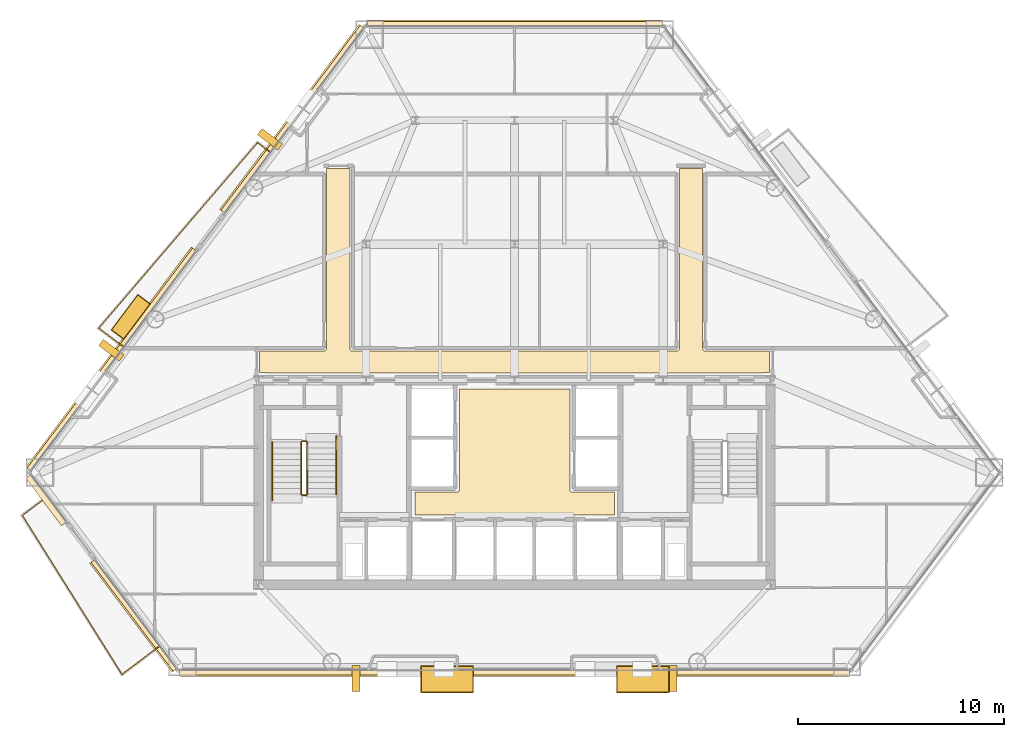
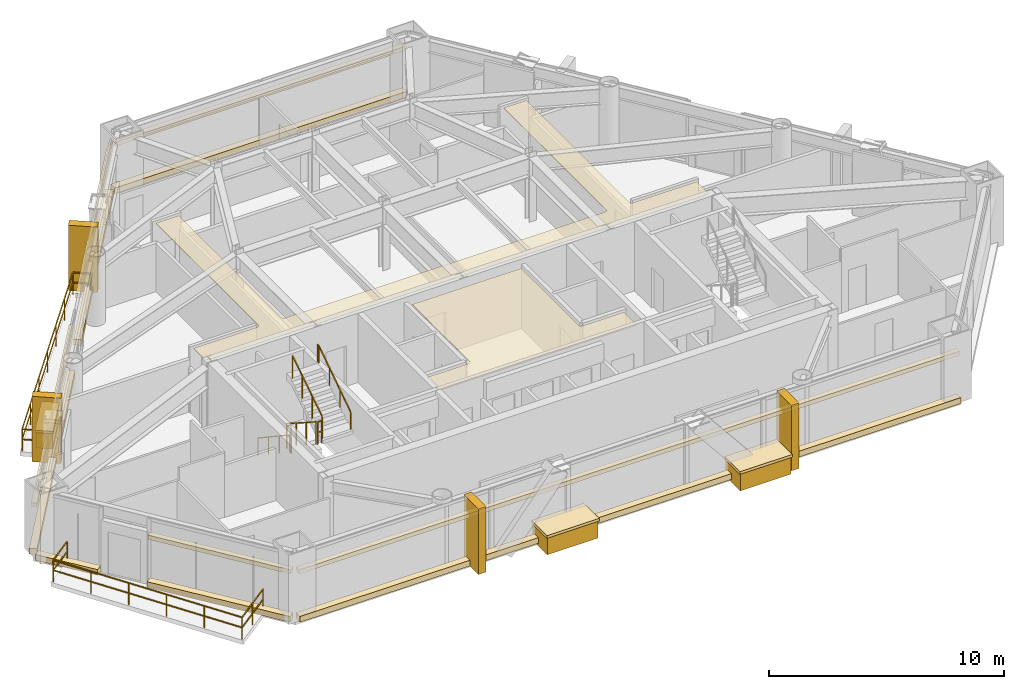
# One storey, part 10 of 11: 23 coverings, 8 railings.
"""IFC4 building model written with IfcOpenShell, lengths in metres."""

from ifc_helpers import new_model, si_unit, direction, frame, origin, origin_2d, place, context, subcontext, project, spatial, polyline, rectangle, outline, extrude, material, layer, layer_set, type_object, element, save


model = new_model("IFC4")

# Units and contexts
model_context = context("Model", 3, precision=1e-05, world=origin(), true_north=direction((0.0, 1.0)))
body_context = subcontext(model_context, "Body", "Model", "MODEL_VIEW")
ifc_project = project(units=[si_unit("LENGTHUNIT", "METRE"), si_unit("AREAUNIT", "SQUARE_METRE"), si_unit("VOLUMEUNIT", "CUBIC_METRE"), si_unit("PLANEANGLEUNIT", "RADIAN"), si_unit("MASSUNIT", "GRAM", prefix="KILO")], contexts=[model_context])

# Site, building, storey
site_placement = place(None, origin())
site = spatial("IfcSite", under=ifc_project, at=site_placement, CompositionType="ELEMENT")
building_placement = place(site_placement, origin())
building = spatial("IfcBuilding", under=site, at=building_placement, Name="Talgorran Terracotta Tower", CompositionType="ELEMENT")
storey_placement = place(building_placement, frame((0.0, 0.0, 68.39990234375)))
storey = spatial("IfcBuildingStorey", under=building, at=storey_placement, Name="L17", CompositionType="ELEMENT", Elevation=68.39990234375)

# Coverings
ifc_material_1 = material(Name="Kiln-Fired Terracotta Ochre Ceramic", Category="masonry")
ifc_layer_1 = layer(ifc_material_1, 0.179931640625, Name="COV_BAGUETTE_TERRACOTTA_SCREEN")
ifc_layer_set_1 = layer_set([ifc_layer_1], Name="Kiln-Fired Terracotta Ochre Ceramic")
covering_type_1 = type_object("IfcCoveringType", Name="COV_BAGUETTE_TERRACOTTA_SCREEN", PredefinedType="CLADDING", material=ifc_layer_set_1)
covering_1_placement = place(storey_placement, frame((-18.432373046875, -15.581787109375, 2.41015625), z_axis=(0.0, 0.0, 1.0), x_axis=(0.601257323772, -0.799055461536, 0.0)))
element("IfcCovering", 1, at=covering_1_placement, inside=storey, type_object=covering_type_1, Name="L17 Terracotta Baguette Solar Screen Assembly F11", PredefinedType="CLADDING", context=body_context, shape_type="SweptSolid", body=[
    extrude(rectangle(XDim=6.600341796875, YDim=0.260009765625, at=origin_2d()), origin(), (0.0, 0.0, 1.0), 0.219970703125),
])
covering_2_placement = place(storey_placement, frame((0.0, -18.3466796875, 2.41015625), z_axis=(0.0, 0.0, 1.0), x_axis=(1.0, 0.0, 0.0)))
element("IfcCovering", 2, at=covering_2_placement, inside=storey, type_object=covering_type_1, Name="L17 Terracotta Baguette Solar Screen Assembly F1", PredefinedType="CLADDING", context=body_context, shape_type="SweptSolid", body=[
    extrude(rectangle(XDim=32.464111328125, YDim=0.260009765625, at=origin_2d()), origin(), (0.0, 0.0, 1.0), 0.219970703125),
])
covering_3_placement = place(storey_placement, frame((0.0, 13.052734375, 2.41015625), z_axis=(0.0, 0.0, 1.0), x_axis=(-1.0, 0.0, 0.0)))
element("IfcCovering", 3, at=covering_3_placement, inside=storey, type_object=covering_type_1, Name="L17 Terracotta Baguette Solar Screen Assembly F4", PredefinedType="CLADDING", context=body_context, shape_type="SweptSolid", body=[
    extrude(rectangle(XDim=14.328125, YDim=0.260009765625, at=origin_2d()), origin(), (0.0, 0.0, 1.0), 0.219970703125),
])
covering_4_placement = place(storey_placement, frame((-10.75, 8.4462890625, 2.41015625), z_axis=(0.0, 0.0, 1.0), x_axis=(-0.601243377531, -0.799065955334, 0.0)))
element("IfcCovering", 4, at=covering_4_placement, inside=storey, type_object=covering_type_1, Name="L17 Terracotta Baguette Solar Screen Assembly F60", PredefinedType="CLADDING", context=body_context, shape_type="SweptSolid", body=[
    extrude(rectangle(XDim=11.2099609375, YDim=0.260009765625, at=origin_2d()), origin(), (0.0, 0.0, 1.0), 0.219970703125),
])
covering_5_placement = place(storey_placement, frame((-19.51123046875, -3.197509765625, 2.41015625), z_axis=(0.0, 0.0, 1.0), x_axis=(-0.601243377531, -0.799065955334, 0.0)))
element("IfcCovering", 5, at=covering_5_placement, inside=storey, type_object=covering_type_1, Name="L17 Terracotta Baguette Solar Screen Assembly F61", PredefinedType="CLADDING", context=body_context, shape_type="SweptSolid", body=[
    extrude(rectangle(XDim=13.33349609375, YDim=0.260009765625, at=origin_2d()), origin(), (0.0, 0.0, 1.0), 0.219970703125),
])
ifc_material_2 = material(Name="Mineral Fibre Acoustic Tile")
ifc_layer_2 = layer(ifc_material_2, 0.02490234375, Name="COV_CEIL_ACOUSTIC")
ifc_layer_set_2 = layer_set([ifc_layer_2], Name="Mineral Fibre Acoustic Tile")
covering_type_2 = type_object("IfcCoveringType", Name="COV_CEIL_ACOUSTIC", PredefinedType="CEILING", material=ifc_layer_set_2)
covering_6_placement = place(storey_placement, frame((0.0, 0.0, 3.260009765625)))
element("IfcCovering", 6, at=covering_6_placement, inside=storey, type_object=covering_type_2, Name="CEIL-L17-2", PredefinedType="CEILING", context=body_context, shape_type="SweptSolid", body=[
    extrude(outline(polyline([(-12.364990234375, -2.784912109375), (-9.25, -2.784912109375), (-9.23828125, -2.784423828125), (-9.226806640625, -2.78271484375), (-9.21533203125, -2.77978515625), (-9.20703125, -2.77734375), (-9.196044921875, -2.7734375), (-9.185302734375, -2.768310546875), (-9.17529296875, -2.762451171875), (-9.165771484375, -2.75537109375), (-9.156982421875, -2.74755859375), (-9.149169921875, -2.73876953125), (-9.1435546875, -2.73193359375), (-9.136474609375, -2.722412109375), (-9.13037109375, -2.71240234375), (-9.125244140625, -2.70166015625), (-9.121337890625, -2.690673828125), (-9.118408203125, -2.67919921875), (-9.11669921875, -2.66748046875), (-9.1162109375, -2.65576171875), (-9.114990234375, 6.06494140625), (-7.985107421875, 6.06494140625), (-7.985107421875, -2.64990234375), (-7.984375, -2.66162109375), (-7.982666015625, -2.67333984375), (-7.97998046875, -2.6845703125), (-7.977294921875, -2.69287109375), (-7.973388671875, -2.7041015625), (-7.968505859375, -2.714599609375), (-7.96240234375, -2.724853515625), (-7.955322265625, -2.734375), (-7.947509765625, -2.742919921875), (-7.938720703125, -2.7509765625), (-7.931884765625, -2.756591796875), (-7.922607421875, -2.763671875), (-7.912353515625, -2.769775390625), (-7.901611328125, -2.774658203125), (-7.890625, -2.77880859375), (-7.879150390625, -2.781494140625), (-7.867431640625, -2.783203125), (-7.855712890625, -2.783935546875), (7.85009765625, -2.784912109375), (7.86181640625, -2.784423828125), (7.873291015625, -2.78271484375), (7.884521484375, -2.77978515625), (7.892822265625, -2.77734375), (7.904052734375, -2.7734375), (7.914794921875, -2.768310546875), (7.9248046875, -2.762451171875), (7.934326171875, -2.75537109375), (7.943115234375, -2.74755859375), (7.950927734375, -2.73876953125), (7.95654296875, -2.73193359375), (7.963623046875, -2.722412109375), (7.9697265625, -2.71240234375), (7.974609375, -2.70166015625), (7.978759765625, -2.690673828125), (7.981689453125, -2.67919921875), (7.9833984375, -2.66748046875), (7.98388671875, -2.65576171875), (7.985107421875, 6.06494140625), (9.114990234375, 6.06494140625), (9.114990234375, -2.64990234375), (9.115478515625, -2.66162109375), (9.1171875, -2.67333984375), (9.1201171875, -2.6845703125), (9.12255859375, -2.69287109375), (9.12646484375, -2.7041015625), (9.131591796875, -2.714599609375), (9.1376953125, -2.724853515625), (9.14453125, -2.734375), (9.152587890625, -2.742919921875), (9.1611328125, -2.7509765625), (9.16796875, -2.756591796875), (9.177490234375, -2.763671875), (9.1875, -2.769775390625), (9.1982421875, -2.774658203125), (9.20947265625, -2.77880859375), (9.220703125, -2.781494140625), (9.232421875, -2.783203125), (9.244384765625, -2.783935546875), (12.364990234375, -2.784912109375), (12.364990234375, -3.80908203125), (12.1201171875, -3.80908203125), (12.108154296875, -3.8095703125), (12.0966796875, -3.811279296875), (12.085205078125, -3.814208984375), (12.07421875, -3.818115234375), (12.0634765625, -3.8232421875), (12.05322265625, -3.8291015625), (12.0439453125, -3.836181640625), (12.03515625, -3.843994140625), (12.034423828125, -3.844970703125), (7.432861328125, -3.844970703125), (6.968017578125, -3.843017578125), (6.967529296875, -3.843017578125), (0.232666015625, -3.844970703125), (-0.23193359375, -3.843017578125), (-0.232421875, -3.843017578125), (-6.96728515625, -3.844970703125), (-7.431884765625, -3.843017578125), (-7.4326171875, -3.843017578125), (-12.034423828125, -3.844970703125), (-12.03515625, -3.843994140625), (-12.0439453125, -3.836181640625), (-12.05322265625, -3.8291015625), (-12.0634765625, -3.8232421875), (-12.07421875, -3.818115234375), (-12.085205078125, -3.814208984375), (-12.0966796875, -3.811279296875), (-12.108154296875, -3.8095703125), (-12.1201171875, -3.80908203125), (-12.364990234375, -3.80908203125), (-12.364990234375, -2.784912109375)])), origin(), (0.0, 0.0, 1.0), 0.02001953125),
])
ifc_material_3 = material(Name="Flush Moisture-Resistant Plaster")
ifc_layer_3 = layer(ifc_material_3, 0.01806640625, Name="COV_CEIL_PLASTER")
ifc_layer_set_3 = layer_set([ifc_layer_3], Name="Flush Moisture-Resistant Plaster")
covering_type_3 = type_object("IfcCoveringType", Name="COV_CEIL_PLASTER", PredefinedType="CEILING", material=ifc_layer_set_3)
covering_7_placement = place(storey_placement, frame((0.0, 0.0, 3.260009765625)))
element("IfcCovering", 7, at=covering_7_placement, inside=storey, type_object=covering_type_3, Name="CEIL-L17-1", PredefinedType="CEILING", context=body_context, shape_type="SweptSolid", body=[
    extrude(outline(polyline([(-4.830078125, -9.6201171875), (-2.800048828125, -9.6201171875), (-2.7880859375, -9.619384765625), (-2.776611328125, -9.61767578125), (-2.76513671875, -9.61474609375), (-2.754150390625, -9.61083984375), (-2.743408203125, -9.605712890625), (-2.7333984375, -9.599853515625), (-2.723876953125, -9.5927734375), (-2.715087890625, -9.5849609375), (-2.707275390625, -9.576171875), (-2.7001953125, -9.566650390625), (-2.694091796875, -9.556640625), (-2.689208984375, -9.5458984375), (-2.685302734375, -9.534912109375), (-2.682373046875, -9.5234375), (-2.6806640625, -9.51171875), (-2.679931640625, -9.5), (-2.679931640625, -4.6201171875), (2.679931640625, -4.6201171875), (2.679931640625, -9.5), (2.6806640625, -9.51171875), (2.682373046875, -9.5234375), (2.685302734375, -9.534912109375), (2.689208984375, -9.5458984375), (2.694091796875, -9.556640625), (2.7001953125, -9.566650390625), (2.707275390625, -9.576171875), (2.715087890625, -9.5849609375), (2.723876953125, -9.5927734375), (2.7333984375, -9.599853515625), (2.743408203125, -9.605712890625), (2.754150390625, -9.61083984375), (2.76513671875, -9.61474609375), (2.776611328125, -9.61767578125), (2.7880859375, -9.619384765625), (2.800048828125, -9.6201171875), (4.830078125, -9.6201171875), (4.830078125, -10.72998046875), (-4.830078125, -10.72998046875), (-4.830078125, -9.6201171875)])), origin(), (0.0, 0.0, 1.0), 0.02001953125),
])
ifc_material_4 = material(Name="Honed Limestone and Terracotta Planter", Category="masonry")
ifc_layer_4 = layer(ifc_material_4, 0.1201171875, Name="COV_PLANTER_BOX")
ifc_layer_set_4 = layer_set([ifc_layer_4], Name="Honed Limestone and Terracotta Planter")
covering_type_4 = type_object("IfcCoveringType", Name="COV_PLANTER_BOX", PredefinedType="CLADDING", material=ifc_layer_set_4)
for number, where, z_axis, x_axis, name in (
    (8, (6.217529296875, -18.686767578125, -0.179931640625), (0.0, 0.0, 1.0), (1.0, 0.0, 0.0), "L17 Staggered South Facade Planter Box 1"),
    (9, (-3.2724609375, -18.686767578125, -0.179931640625), (0.0, 0.0, 1.0), (1.0, 0.0, 0.0), "L17 Staggered South Facade Planter Box 2"),
):
    element("IfcCovering", number, at=place(storey_placement, frame(where, z_axis=z_axis, x_axis=x_axis)), inside=storey, type_object=covering_type_4, Name=name, PredefinedType="CLADDING", context=body_context, shape_type="SweptSolid", body=[
        extrude(rectangle(XDim=2.5, YDim=1.25, at=origin_2d()), origin(), (0.0, 0.0, 1.0), 0.919921875),
    ])
covering_8_placement = place(storey_placement, frame((-18.6015625, -1.12548828125, -0.02001953125), z_axis=(0.0, 0.0, 1.0), x_axis=(-0.601243377531, -0.799065955334, 0.0)))
element("IfcCovering", 10, at=covering_8_placement, inside=storey, type_object=covering_type_4, Name="L17 Staggered Balcony Planter Box BAL-NW", PredefinedType="CLADDING", context=body_context, shape_type="SweptSolid", body=[
    extrude(rectangle(XDim=2.10009765625, YDim=0.719970703125, at=origin_2d()), origin(), (0.0, 0.0, 1.0), 0.860107421875),
])
ifc_material_5 = material(Name="Kiln-Fired Terracotta Planter Rim", Category="masonry")
ifc_layer_5 = layer(ifc_material_5, 0.10009765625, Name="COV_PLANTER_RIM")
ifc_layer_set_5 = layer_set([ifc_layer_5], Name="Kiln-Fired Terracotta Planter Rim")
covering_type_5 = type_object("IfcCoveringType", Name="COV_PLANTER_RIM", PredefinedType="CLADDING", material=ifc_layer_set_5)
for number, where, z_axis, x_axis, name in (
    (11, (6.217529296875, -18.686767578125, 0.7099609375), (0.0, 0.0, 1.0), (1.0, 0.0, 0.0), "L17 South Planter Terracotta Rim 1"),
    (12, (-3.2724609375, -18.686767578125, 0.7099609375), (0.0, 0.0, 1.0), (1.0, 0.0, 0.0), "L17 South Planter Terracotta Rim 2"),
):
    element("IfcCovering", number, at=place(storey_placement, frame(where, z_axis=z_axis, x_axis=x_axis)), inside=storey, type_object=covering_type_5, Name=name, PredefinedType="CLADDING", context=body_context, shape_type="SweptSolid", body=[
        extrude(rectangle(XDim=2.580078125, YDim=1.320068359375, at=origin_2d()), origin(), (0.0, 0.0, 1.0), 0.139892578125),
    ])
covering_9_placement = place(storey_placement, frame((-18.6015625, -1.12548828125, 0.800048828125), z_axis=(0.0, 0.0, 1.0), x_axis=(-0.601243377531, -0.799065955334, 0.0)))
element("IfcCovering", 13, at=covering_9_placement, inside=storey, type_object=covering_type_5, Name="L17 Balcony Planter Terracotta Rim BAL-NW", PredefinedType="CLADDING", context=body_context, shape_type="SweptSolid", body=[
    extrude(rectangle(XDim=2.179931640625, YDim=0.780029296875, at=origin_2d()), origin(), (0.0, 0.0, 1.0), 0.1201171875),
])
ifc_material_6 = material(Name="Honed Limestone Cladding", Category="masonry")
ifc_layer_6 = layer(ifc_material_6, 0.094970703125, Name="COV_PORTAL_LIME")
ifc_layer_set_6 = layer_set([ifc_layer_6], Name="Honed Limestone Cladding")
covering_type_6 = type_object("IfcCoveringType", Name="COV_PORTAL_LIME", PredefinedType="CLADDING", material=ifc_layer_set_6)
for number, where, z_axis, x_axis, name in (
    (14, (-7.690185546875, -18.646728515625, -0.0498046875), (0.0, 0.0, 1.0), (1.0, 0.0, 0.0), "L17 White Striped Portal Fin F1-1"),
    (15, (-11.853759765625, 7.478515625, -0.0498046875), (0.0, 0.0, 1.0), (-0.601243377531, -0.799065955334, 0.0), "L17 White Striped Portal Fin F5-1"),
):
    element("IfcCovering", number, at=place(storey_placement, frame(where, z_axis=z_axis, x_axis=x_axis)), inside=storey, type_object=covering_type_6, Name=name, PredefinedType="CLADDING", context=body_context, shape_type="SweptSolid", body=[
        extrude(rectangle(XDim=0.3798828125, YDim=1.25, at=origin_2d()), origin(), (0.0, 0.0, 1.0), 3.39990234375),
    ])
ifc_material_7 = material(Name="Kiln-Fired Terracotta Cladding", Category="masonry")
ifc_layer_7 = layer(ifc_material_7, 0.090087890625, Name="COV_PORTAL_TERRA")
ifc_layer_set_7 = layer_set([ifc_layer_7], Name="Kiln-Fired Terracotta Cladding")
covering_type_7 = type_object("IfcCoveringType", Name="COV_PORTAL_TERRA", PredefinedType="CLADDING", material=ifc_layer_set_7)
covering_10_placement = place(storey_placement, frame((-22.69140625, -9.98779296875, -0.0400390625), z_axis=(0.0, 0.0, 1.0), x_axis=(0.601257323772, -0.799055461536, 0.0)))
element("IfcCovering", 16, at=covering_10_placement, inside=storey, type_object=covering_type_7, Name="L17 Striped Postmodern Portal Cladding Band F10", PredefinedType="CLADDING", context=body_context, shape_type="SweptSolid", body=[
    extrude(rectangle(XDim=2.880859375, YDim=0.340087890625, at=origin_2d()), origin(), (0.0, 0.0, 1.0), 0.300048828125),
])
covering_11_placement = place(storey_placement, frame((-18.46435546875, -15.60595703125, -0.0400390625), z_axis=(0.0, 0.0, 1.0), x_axis=(0.601257323772, -0.799055461536, 0.0)))
element("IfcCovering", 17, at=covering_11_placement, inside=storey, type_object=covering_type_7, Name="L17 Striped Postmodern Portal Cladding Band F11", PredefinedType="CLADDING", context=body_context, shape_type="SweptSolid", body=[
    extrude(rectangle(XDim=6.620361328125, YDim=0.340087890625, at=origin_2d()), origin(), (0.0, 0.0, 1.0), 0.300048828125),
])
covering_12_placement = place(storey_placement, frame((0.0, -18.38671875, -0.0400390625), z_axis=(0.0, 0.0, 1.0), x_axis=(1.0, 0.0, 0.0)))
element("IfcCovering", 18, at=covering_12_placement, inside=storey, type_object=covering_type_7, Name="L17 Striped Postmodern Portal Cladding Band F1", PredefinedType="CLADDING", context=body_context, shape_type="SweptSolid", body=[
    extrude(rectangle(XDim=32.484130859375, YDim=0.340087890625, at=origin_2d()), origin(), (0.0, 0.0, 1.0), 0.300048828125),
])
covering_13_placement = place(storey_placement, frame((0.0, 13.0927734375, -0.0400390625), z_axis=(0.0, 0.0, 1.0), x_axis=(-1.0, 0.0, 0.0)))
element("IfcCovering", 19, at=covering_13_placement, inside=storey, type_object=covering_type_7, Name="L17 Striped Postmodern Portal Cladding Band F4", PredefinedType="CLADDING", context=body_context, shape_type="SweptSolid", body=[
    extrude(rectangle(XDim=14.34814453125, YDim=0.340087890625, at=origin_2d()), origin(), (0.0, 0.0, 1.0), 0.300048828125),
])
covering_14_placement = place(storey_placement, frame((-10.781982421875, 8.47021484375, -0.0400390625), z_axis=(0.0, 0.0, 1.0), x_axis=(-0.601243377531, -0.799065955334, 0.0)))
element("IfcCovering", 20, at=covering_14_placement, inside=storey, type_object=covering_type_7, Name="L17 Striped Postmodern Portal Cladding Band F60", PredefinedType="CLADDING", context=body_context, shape_type="SweptSolid", body=[
    extrude(rectangle(XDim=11.22998046875, YDim=0.340087890625, at=origin_2d()), origin(), (0.0, 0.0, 1.0), 0.300048828125),
])
covering_15_placement = place(storey_placement, frame((-19.543212890625, -3.173583984375, -0.0400390625), z_axis=(0.0, 0.0, 1.0), x_axis=(-0.601243377531, -0.799065955334, 0.0)))
element("IfcCovering", 21, at=covering_15_placement, inside=storey, type_object=covering_type_7, Name="L17 Striped Postmodern Portal Cladding Band F61", PredefinedType="CLADDING", context=body_context, shape_type="SweptSolid", body=[
    extrude(rectangle(XDim=13.353515625, YDim=0.340087890625, at=origin_2d()), origin(), (0.0, 0.0, 1.0), 0.300048828125),
])
for number, where, z_axis, x_axis, name in (
    (22, (7.690185546875, -18.646728515625, -0.0498046875), (0.0, 0.0, 1.0), (1.0, 0.0, 0.0), "L17 Terracotta Striped Portal Fin F1-2"),
    (23, (-19.543701171875, -2.741943359375, -0.0498046875), (0.0, 0.0, 1.0), (-0.601243377531, -0.799065955334, 0.0), "L17 Terracotta Striped Portal Fin F5-2"),
):
    element("IfcCovering", number, at=place(storey_placement, frame(where, z_axis=z_axis, x_axis=x_axis)), inside=storey, type_object=covering_type_7, Name=name, PredefinedType="CLADDING", context=body_context, shape_type="SweptSolid", body=[
        extrude(rectangle(XDim=0.3798828125, YDim=1.25, at=origin_2d()), origin(), (0.0, 0.0, 1.0), 3.39990234375),
    ])

# Railings
ifc_material_8 = material(Name="Laminated Glass and Stainless Steel 316", Category="steel")
railing_type_1 = type_object("IfcRailingType", Name="RL_BALCONY_1150", PredefinedType="BALUSTRADE", material=ifc_material_8)
railing_1_placement = place(storey_placement, frame((-11.843505859375, 6.860107421875, 0.0)))
element("IfcRailing", 24, at=railing_1_placement, inside=storey, type_object=railing_type_1, Name="RL-L17-BAL-BAL-NW", PredefinedType="BALUSTRADE", context=body_context, shape_type="SweptSolid", body=[
    extrude(rectangle(XDim=0.048095703125, YDim=0.048095703125, at=origin_2d()), frame((0.0, 0.0, 1.1259765625), z_axis=(-0.799084379196, 0.601218891025, 0.0), x_axis=(-0.601218891025, -0.799084379196, 0.0)), (0.0, 0.0, 1.0), 0.768798828125),
    extrude(rectangle(XDim=0.048095703125, YDim=0.048095703125, at=origin_2d()), frame((0.0, 0.0, 0.597900390625), z_axis=(-0.799084379196, 0.601218891025, 0.0), x_axis=(-0.601218891025, -0.799084379196, 0.0)), (0.0, 0.0, 1.0), 0.768798828125),
    extrude(rectangle(XDim=0.048095703125, YDim=0.048095703125, at=origin_2d()), frame((-0.6142578125, 0.462158203125, 1.1259765625), z_axis=(-0.650047118483, -0.759893902957, 0.0), x_axis=(0.759893902957, -0.650047118483, 0.0)), (0.0, 0.0, 1.0), 11.83740234375),
    extrude(rectangle(XDim=0.048095703125, YDim=0.048095703125, at=origin_2d()), frame((-0.6142578125, 0.462158203125, 0.597900390625), z_axis=(-0.650047118483, -0.759893902957, 0.0), x_axis=(0.759893902957, -0.650047118483, 0.0)), (0.0, 0.0, 1.0), 11.83740234375),
    extrude(rectangle(XDim=0.048095703125, YDim=0.048095703125, at=origin_2d()), frame((-8.30908203125, -8.532958984375, 1.1259765625), z_axis=(0.799145042442, -0.601138254598, 0.0), x_axis=(0.601138254598, 0.799145042442, 0.0)), (0.0, 0.0, 1.0), 1.50927734375),
    extrude(rectangle(XDim=0.048095703125, YDim=0.048095703125, at=origin_2d()), frame((-8.30908203125, -8.532958984375, 0.597900390625), z_axis=(0.799145042442, -0.601138254598, 0.0), x_axis=(0.601138254598, 0.799145042442, 0.0)), (0.0, 0.0, 1.0), 1.50927734375),
    extrude(rectangle(XDim=0.0419921875, YDim=0.0419921875, at=origin_2d()), origin(), (0.0, 0.0, 1.0), 1.101806640625),
    extrude(rectangle(XDim=0.0419921875, YDim=0.0419921875, at=origin_2d()), frame((-0.6142578125, 0.462158203125, 0.0)), (0.0, 0.0, 1.0), 1.101806640625),
    extrude(rectangle(XDim=0.0419921875, YDim=0.0419921875, at=origin_2d()), frame((-1.896728515625, -1.037109375, 0.0)), (0.0, 0.0, 1.0), 1.101806640625),
    extrude(rectangle(XDim=0.0419921875, YDim=0.0419921875, at=origin_2d()), frame((-3.17919921875, -2.5361328125, 0.0)), (0.0, 0.0, 1.0), 1.101806640625),
    extrude(rectangle(XDim=0.0419921875, YDim=0.0419921875, at=origin_2d()), frame((-4.461669921875, -4.035400390625, 0.0)), (0.0, 0.0, 1.0), 1.101806640625),
    extrude(rectangle(XDim=0.0419921875, YDim=0.0419921875, at=origin_2d()), frame((-5.744140625, -5.53466796875, 0.0)), (0.0, 0.0, 1.0), 1.101806640625),
    extrude(rectangle(XDim=0.0419921875, YDim=0.0419921875, at=origin_2d()), frame((-7.026611328125, -7.03369140625, 0.0)), (0.0, 0.0, 1.0), 1.101806640625),
    extrude(rectangle(XDim=0.0419921875, YDim=0.0419921875, at=origin_2d()), frame((-8.30908203125, -8.532958984375, 0.0)), (0.0, 0.0, 1.0), 1.101806640625),
    extrude(rectangle(XDim=0.0419921875, YDim=0.0419921875, at=origin_2d()), frame((-7.10302734375, -9.440185546875, 0.0)), (0.0, 0.0, 1.0), 1.101806640625),
])
railing_2_placement = place(storey_placement, frame((-22.652587890625, -9.83984375, 0.0)))
element("IfcRailing", 25, at=railing_2_placement, inside=storey, type_object=railing_type_1, Name="RL-L17-BAL-BAL-SW", PredefinedType="BALUSTRADE", context=body_context, shape_type="SweptSolid", body=[
    extrude(rectangle(XDim=0.048095703125, YDim=0.048095703125, at=origin_2d()), frame((0.0, 0.0, 1.1259765625), z_axis=(-0.799105098933, -0.601191351285, 0.0), x_axis=(0.601191351285, -0.799105098933, 0.0)), (0.0, 0.0, 1.0), 1.50732421875),
    extrude(rectangle(XDim=0.048095703125, YDim=0.048095703125, at=origin_2d()), frame((0.0, 0.0, 0.597900390625), z_axis=(-0.799105098933, -0.601191351285, 0.0), x_axis=(0.601191351285, -0.799105098933, 0.0)), (0.0, 0.0, 1.0), 1.50732421875),
    extrude(rectangle(XDim=0.048095703125, YDim=0.048095703125, at=origin_2d()), frame((-1.20458984375, -0.90625, 1.1259765625), z_axis=(0.531248535215, -0.847216025481, 0.0), x_axis=(0.847216025481, 0.531248535215, 0.0)), (0.0, 0.0, 1.0), 9.0927734375),
    extrude(rectangle(XDim=0.048095703125, YDim=0.048095703125, at=origin_2d()), frame((-1.20458984375, -0.90625, 0.597900390625), z_axis=(0.531248535215, -0.847216025481, 0.0), x_axis=(0.847216025481, 0.531248535215, 0.0)), (0.0, 0.0, 1.0), 9.0927734375),
    extrude(rectangle(XDim=0.048095703125, YDim=0.048095703125, at=origin_2d()), frame((3.6259765625, -8.60986328125, 1.1259765625), z_axis=(0.799034854901, 0.601284708481, 0.0), x_axis=(-0.601284708481, 0.799034854901, 0.0)), (0.0, 0.0, 1.0), 2.279052734375),
    extrude(rectangle(XDim=0.048095703125, YDim=0.048095703125, at=origin_2d()), frame((3.6259765625, -8.60986328125, 0.597900390625), z_axis=(0.799034854901, 0.601284708481, 0.0), x_axis=(-0.601284708481, 0.799034854901, 0.0)), (0.0, 0.0, 1.0), 2.279052734375),
    extrude(rectangle(XDim=0.0419921875, YDim=0.0419921875, at=origin_2d()), origin(), (0.0, 0.0, 1.0), 1.101806640625),
    extrude(rectangle(XDim=0.0419921875, YDim=0.0419921875, at=origin_2d()), frame((-1.20458984375, -0.90625, 0.0)), (0.0, 0.0, 1.0), 1.101806640625),
    extrude(rectangle(XDim=0.0419921875, YDim=0.0419921875, at=origin_2d()), frame((-0.238525390625, -2.447021484375, 0.0)), (0.0, 0.0, 1.0), 1.101806640625),
    extrude(rectangle(XDim=0.0419921875, YDim=0.0419921875, at=origin_2d()), frame((0.7275390625, -3.98779296875, 0.0)), (0.0, 0.0, 1.0), 1.101806640625),
    extrude(rectangle(XDim=0.0419921875, YDim=0.0419921875, at=origin_2d()), frame((1.69384765625, -5.5283203125, 0.0)), (0.0, 0.0, 1.0), 1.101806640625),
    extrude(rectangle(XDim=0.0419921875, YDim=0.0419921875, at=origin_2d()), frame((2.659912109375, -7.069091796875, 0.0)), (0.0, 0.0, 1.0), 1.101806640625),
    extrude(rectangle(XDim=0.0419921875, YDim=0.0419921875, at=origin_2d()), frame((3.6259765625, -8.60986328125, 0.0)), (0.0, 0.0, 1.0), 1.101806640625),
    extrude(rectangle(XDim=0.0419921875, YDim=0.0419921875, at=origin_2d()), frame((4.53662109375, -7.9248046875, 0.0)), (0.0, 0.0, 1.0), 1.101806640625),
    extrude(rectangle(XDim=0.0419921875, YDim=0.0419921875, at=origin_2d()), frame((5.447021484375, -7.239501953125, 0.0)), (0.0, 0.0, 1.0), 1.101806640625),
])
ifc_material_9 = material(Name="Steel S355 (300PLUS)", Category="steel")
railing_type_2 = type_object("IfcRailingType", Name="RL_HANDRAIL_920", PredefinedType="HANDRAIL", material=ifc_material_9)
railing_3_placement = place(storey_placement, frame((-11.75, -7.199951171875, 0.18017578125)))
element("IfcRailing", 26, at=railing_3_placement, inside=storey, type_object=railing_type_2, Name="L17 ST-01 stair handrail 1", PredefinedType="HANDRAIL", context=body_context, shape_type="SweptSolid", body=[
    extrude(rectangle(XDim=0.048095703125, YDim=0.048095703125, at=origin_2d()), frame((0.0, 0.0, 0.89599609375), z_axis=(0.0, -0.832073444223, 0.554665469827), x_axis=(1.0, 0.0, 0.0)), (0.0, 0.0, 1.0), 3.244873046875),
    extrude(rectangle(XDim=0.048095703125, YDim=0.048095703125, at=origin_2d()), frame((0.0, -2.699951171875, 2.69580078125), z_axis=(0.0, -1.0, 0.0), x_axis=(1.0, 0.0, 0.0)), (0.0, 0.0, 1.0), 0.1201171875),
    extrude(rectangle(XDim=0.0419921875, YDim=0.0419921875, at=origin_2d()), origin(), (0.0, 0.0, 1.0), 0.871826171875),
    extrude(rectangle(XDim=0.0419921875, YDim=0.0419921875, at=origin_2d()), frame((0.0, -0.89990234375, 0.599853515625)), (0.0, 0.0, 1.0), 0.871826171875),
    extrude(rectangle(XDim=0.0419921875, YDim=0.0419921875, at=origin_2d()), frame((0.0, -1.800048828125, 1.199951171875)), (0.0, 0.0, 1.0), 0.871826171875),
    extrude(rectangle(XDim=0.0419921875, YDim=0.0419921875, at=origin_2d()), frame((0.0, -2.699951171875, 1.7998046875)), (0.0, 0.0, 1.0), 0.871826171875),
    extrude(rectangle(XDim=0.0419921875, YDim=0.0419921875, at=origin_2d()), frame((0.0, -2.820068359375, 1.7998046875)), (0.0, 0.0, 1.0), 0.871826171875),
])
railing_4_placement = place(storey_placement, frame((-8.64990234375, -9.719970703125, 1.97998046875)))
element("IfcRailing", 27, at=railing_4_placement, inside=storey, type_object=railing_type_2, Name="L17 ST-01 stair handrail 2", PredefinedType="HANDRAIL", context=body_context, shape_type="SweptSolid", body=[
    extrude(rectangle(XDim=0.048095703125, YDim=0.048095703125, at=origin_2d()), frame((0.0, 0.0, 0.89599609375), z_axis=(0.0, 0.832038719335, 0.554717558338), x_axis=(-1.0, 0.0, 0.0)), (0.0, 0.0, 1.0), 3.244873046875),
    extrude(rectangle(XDim=0.048095703125, YDim=0.048095703125, at=origin_2d()), frame((0.0, 2.699951171875, 2.69580078125), z_axis=(0.0, 1.0, 0.0), x_axis=(-1.0, 0.0, 0.0)), (0.0, 0.0, 1.0), 0.1201171875),
    extrude(rectangle(XDim=0.0419921875, YDim=0.0419921875, at=origin_2d()), origin(), (0.0, 0.0, 1.0), 0.871826171875),
    extrude(rectangle(XDim=0.0419921875, YDim=0.0419921875, at=origin_2d()), frame((0.0, 0.89990234375, 0.60009765625)), (0.0, 0.0, 1.0), 0.871826171875),
    extrude(rectangle(XDim=0.0419921875, YDim=0.0419921875, at=origin_2d()), frame((0.0, 1.800048828125, 1.199951171875)), (0.0, 0.0, 1.0), 0.871826171875),
    extrude(rectangle(XDim=0.0419921875, YDim=0.0419921875, at=origin_2d()), frame((0.0, 2.699951171875, 1.800048828125)), (0.0, 0.0, 1.0), 0.871826171875),
    extrude(rectangle(XDim=0.0419921875, YDim=0.0419921875, at=origin_2d()), frame((0.0, 2.820068359375, 1.800048828125)), (0.0, 0.0, 1.0), 0.871826171875),
])
railing_type_3 = type_object("IfcRailingType", Name="RL_STAIR_GUARD", PredefinedType="GUARDRAIL", material=ifc_material_9)
railing_5_placement = place(storey_placement, frame((-10.35009765625, -7.199951171875, 0.18017578125)))
element("IfcRailing", 28, at=railing_5_placement, inside=storey, type_object=railing_type_3, Name="L17 ST-01 stair guard 1", PredefinedType="GUARDRAIL", context=body_context, shape_type="SweptSolid", body=[
    extrude(rectangle(XDim=0.048095703125, YDim=0.048095703125, at=origin_2d()), frame((0.0, 0.0, 1.15576171875), z_axis=(0.0, -0.841199657755, 0.540724639528), x_axis=(1.0, 0.0, 0.0)), (0.0, 0.0, 1.0), 2.995849609375),
    extrude(rectangle(XDim=0.0419921875, YDim=0.0419921875, at=origin_2d()), origin(), (0.0, 0.0, 1.0), 1.1318359375),
    extrude(rectangle(XDim=0.0419921875, YDim=0.0419921875, at=origin_2d()), frame((0.0, -0.840087890625, 0.5400390625)), (0.0, 0.0, 1.0), 1.1318359375),
    extrude(rectangle(XDim=0.0419921875, YDim=0.0419921875, at=origin_2d()), frame((0.0, -1.679931640625, 1.079833984375)), (0.0, 0.0, 1.0), 1.1318359375),
    extrude(rectangle(XDim=0.0419921875, YDim=0.0419921875, at=origin_2d()), frame((0.0, -2.52001953125, 1.619873046875)), (0.0, 0.0, 1.0), 1.1318359375),
])
railing_6_placement = place(storey_placement, frame((-10.300048828125, -9.77001953125, 1.800048828125)))
element("IfcRailing", 29, at=railing_6_placement, inside=storey, type_object=railing_type_3, Name="L17 ST-01 stair guard 2", PredefinedType="GUARDRAIL", context=body_context, shape_type="SweptSolid", body=[
    extrude(rectangle(XDim=0.048095703125, YDim=0.048095703125, at=origin_2d()), frame((0.0, 0.0, 1.15576171875), z_axis=(1.0, 0.0, 0.0), x_axis=(0.0, 1.0, 0.0)), (0.0, 0.0, 1.0), 0.199951171875),
    extrude(rectangle(XDim=0.048095703125, YDim=0.048095703125, at=origin_2d()), frame((0.0, 0.0, 0.613525390625), z_axis=(1.0, 0.0, 0.0), x_axis=(0.0, 1.0, 0.0)), (0.0, 0.0, 1.0), 0.199951171875),
    extrude(rectangle(XDim=0.0419921875, YDim=0.0419921875, at=origin_2d()), origin(), (0.0, 0.0, 1.0), 1.1318359375),
    extrude(rectangle(XDim=0.0419921875, YDim=0.0419921875, at=origin_2d()), frame((0.199951171875, 0.0, 0.0)), (0.0, 0.0, 1.0), 1.1318359375),
])
railing_7_placement = place(storey_placement, frame((-10.050048828125, -9.719970703125, 1.97998046875)))
element("IfcRailing", 30, at=railing_7_placement, inside=storey, type_object=railing_type_3, Name="L17 ST-01 stair guard 3", PredefinedType="GUARDRAIL", context=body_context, shape_type="SweptSolid", body=[
    extrude(rectangle(XDim=0.048095703125, YDim=0.048095703125, at=origin_2d()), frame((0.0, 0.0, 1.15576171875), z_axis=(0.0, 0.841162588446, 0.540782303519), x_axis=(-1.0, 0.0, 0.0)), (0.0, 0.0, 1.0), 2.995849609375),
    extrude(rectangle(XDim=0.0419921875, YDim=0.0419921875, at=origin_2d()), origin(), (0.0, 0.0, 1.0), 1.1318359375),
    extrude(rectangle(XDim=0.0419921875, YDim=0.0419921875, at=origin_2d()), frame((0.0, 0.840087890625, 0.5400390625)), (0.0, 0.0, 1.0), 1.1318359375),
    extrude(rectangle(XDim=0.0419921875, YDim=0.0419921875, at=origin_2d()), frame((0.0, 1.679931640625, 1.080078125)), (0.0, 0.0, 1.0), 1.1318359375),
    extrude(rectangle(XDim=0.0419921875, YDim=0.0419921875, at=origin_2d()), frame((0.0, 2.52001953125, 1.6201171875)), (0.0, 0.0, 1.0), 1.1318359375),
])
railing_8_placement = place(storey_placement, frame((-10.300048828125, -7.14990234375, 0.0)))
element("IfcRailing", 31, at=railing_8_placement, inside=storey, type_object=railing_type_3, Name="L17 ST-01 stair guard 4", PredefinedType="GUARDRAIL", context=body_context, shape_type="SweptSolid", body=[
    extrude(rectangle(XDim=0.048095703125, YDim=0.048095703125, at=origin_2d()), frame((0.0, 0.0, 1.15576171875), z_axis=(1.0, 0.0, 0.0), x_axis=(0.0, 1.0, 0.0)), (0.0, 0.0, 1.0), 0.199951171875),
    extrude(rectangle(XDim=0.048095703125, YDim=0.048095703125, at=origin_2d()), frame((0.0, 0.0, 0.613525390625), z_axis=(1.0, 0.0, 0.0), x_axis=(0.0, 1.0, 0.0)), (0.0, 0.0, 1.0), 0.199951171875),
    extrude(rectangle(XDim=0.0419921875, YDim=0.0419921875, at=origin_2d()), origin(), (0.0, 0.0, 1.0), 1.1318359375),
    extrude(rectangle(XDim=0.0419921875, YDim=0.0419921875, at=origin_2d()), frame((0.199951171875, 0.0, 0.0)), (0.0, 0.0, 1.0), 1.1318359375),
])

save(model, "model.ifc")
